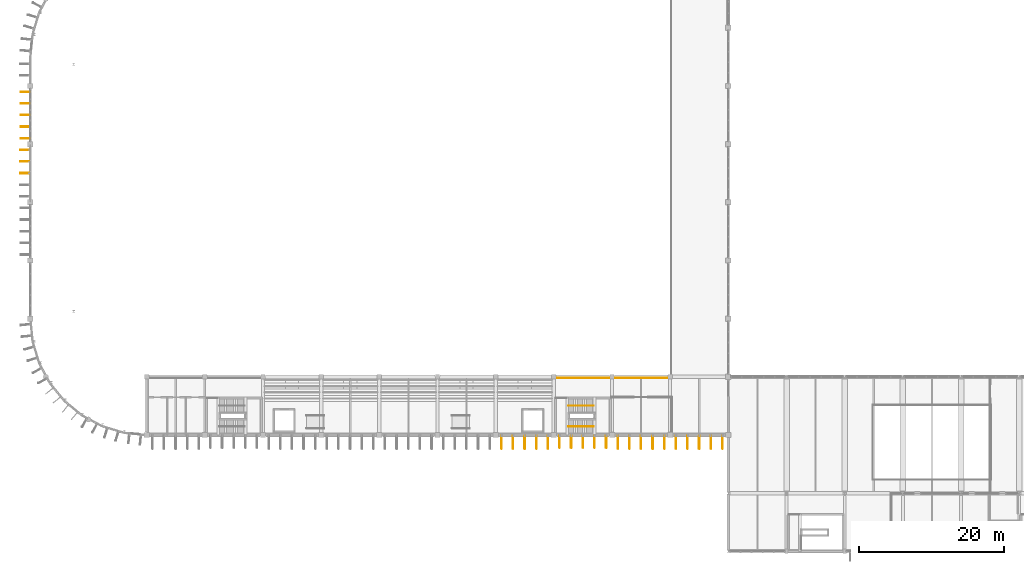
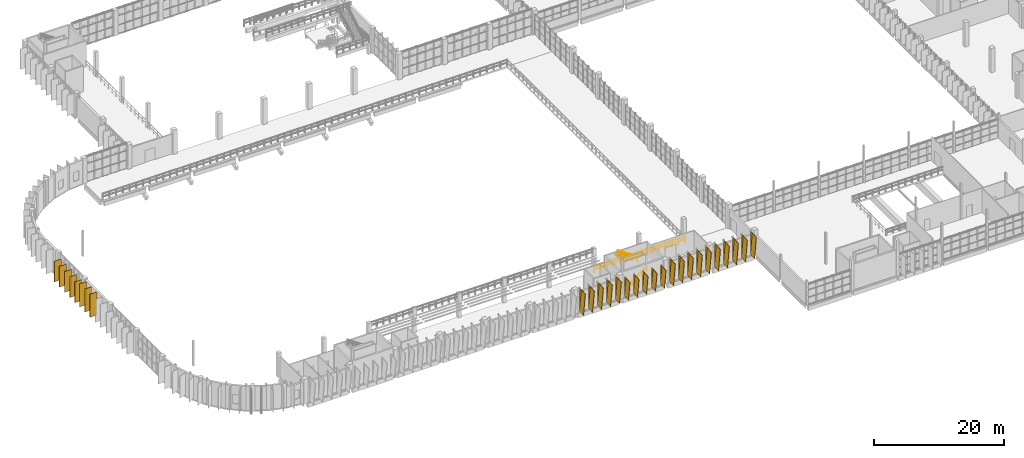
# One storey, part 87 of 93: 28 coverings, 28 shading devices, 3 railings.
"""IFC4 building model written with IfcOpenShell, lengths in metres."""

from ifc_helpers import new_model, si_unit, direction, frame, origin, origin_2d, place, context, subcontext, project, spatial, rectangle, circle, extrude, material, type_object, element, save


model = new_model("IFC4")

# Units and contexts
model_context = context("Model", 3, precision=1e-05, world=origin(), true_north=direction((0.0, 1.0)))
body_context = subcontext(model_context, "Body", "Model", "MODEL_VIEW")
ifc_project = project(units=[si_unit("LENGTHUNIT", "METRE"), si_unit("AREAUNIT", "SQUARE_METRE"), si_unit("VOLUMEUNIT", "CUBIC_METRE"), si_unit("PLANEANGLEUNIT", "RADIAN"), si_unit("MASSUNIT", "GRAM", prefix="KILO")], contexts=[model_context])

# Site, building, storey
site_placement = place(None, origin())
site = spatial("IfcSite", under=ifc_project, at=site_placement, CompositionType="ELEMENT")
building_placement = place(site_placement, origin())
building = spatial("IfcBuilding", under=site, at=building_placement, Name="Drelvana Railside Aquatics Centre", CompositionType="ELEMENT")
storey_placement = place(building_placement, frame((0.0, 0.0, 5.39990234375)))
storey = spatial("IfcBuildingStorey", under=building, at=storey_placement, Name="L01", CompositionType="ELEMENT", Elevation=5.39990234375)

# Coverings
ifc_material_1 = material(Name="Bronze-anodised extruded aluminium 6063-T6", Category="aluminium")
covering_type = type_object("IfcCoveringType", Name="COV-FIN-ALU", PredefinedType="CLADDING", material=ifc_material_1)
for number, where, z_axis, x_axis, name in (
    (1, (64.800048828125, 15.264892578125, 0.0390625), (0.0, -0.13052619222, 0.991444861374), (-1.0, 0.0, 0.0), "Vertical aluminium fin cladding CF-0090"),
    (2, (66.39990234375, 15.264892578125, 0.0390625), (0.0, -0.13052619222, 0.991444861374), (-1.0, 0.0, 0.0), "Vertical aluminium fin cladding CF-0091"),
    (3, (68.0, 15.264892578125, 0.0390625), (0.0, -0.13052619222, 0.991444861374), (-1.0, 0.0, 0.0), "Vertical aluminium fin cladding CF-0092"),
    (4, (69.60009765625, 15.264892578125, 0.0390625), (0.0, -0.13052619222, 0.991444861374), (-1.0, 0.0, 0.0), "Vertical aluminium fin cladding CF-0093"),
    (5, (71.199951171875, 15.264892578125, 0.0390625), (0.0, -0.13052619222, 0.991444861374), (-1.0, 0.0, 0.0), "Vertical aluminium fin cladding CF-0094"),
):
    element("IfcCovering", number, at=place(storey_placement, frame(where, z_axis=z_axis, x_axis=x_axis)), inside=storey, type_object=covering_type, Name=name, PredefinedType="CLADDING", context=body_context, shape_type="SweptSolid", body=[
        extrude(rectangle(XDim=0.0849609375, YDim=1.25, at=origin_2d()), origin(), (0.0, 0.0, 1.0), 4.39990234375),
    ])
for number, where, z_axis, x_axis, name in (
    (6, (72.800048828125, 15.27001953125, 0.11572265625), (0.0, -0.13052619222, 0.991444861374), (-1.0, 0.0, 0.0), "Vertical aluminium fin cladding CF-0105"),
    (7, (74.39990234375, 15.27001953125, 0.11572265625), (0.0, -0.13052619222, 0.991444861374), (-1.0, 0.0, 0.0), "Vertical aluminium fin cladding CF-0106"),
    (8, (76.0, 15.27001953125, 0.11572265625), (0.0, -0.13052619222, 0.991444861374), (-1.0, 0.0, 0.0), "Vertical aluminium fin cladding CF-0107"),
    (9, (77.60009765625, 15.27001953125, 0.11572265625), (0.0, -0.13052619222, 0.991444861374), (-1.0, 0.0, 0.0), "Vertical aluminium fin cladding CF-0108"),
    (10, (79.199951171875, 15.27001953125, 0.11572265625), (0.0, -0.13052619222, 0.991444861374), (-1.0, 0.0, 0.0), "Vertical aluminium fin cladding CF-0109"),
):
    element("IfcCovering", number, at=place(storey_placement, frame(where, z_axis=z_axis, x_axis=x_axis)), inside=storey, type_object=covering_type, Name=name, PredefinedType="CLADDING", context=body_context, shape_type="SweptSolid", body=[
        extrude(rectangle(XDim=0.0849609375, YDim=1.25, at=origin_2d()), origin(), (0.0, 0.0, 1.0), 3.6298828125),
    ])
for number, where, z_axis, x_axis, name in (
    (11, (80.800048828125, 15.264892578125, 0.0390625), (0.0, -0.13052619222, 0.991444861374), (-1.0, 0.0, 0.0), "Vertical aluminium fin cladding CF-0119"),
    (12, (82.39990234375, 15.264892578125, 0.0390625), (0.0, -0.13052619222, 0.991444861374), (-1.0, 0.0, 0.0), "Vertical aluminium fin cladding CF-0120"),
    (13, (84.0, 15.264892578125, 0.0390625), (0.0, -0.13052619222, 0.991444861374), (-1.0, 0.0, 0.0), "Vertical aluminium fin cladding CF-0121"),
    (14, (85.60009765625, 15.264892578125, 0.0390625), (0.0, -0.13052619222, 0.991444861374), (-1.0, 0.0, 0.0), "Vertical aluminium fin cladding CF-0122"),
    (15, (87.199951171875, 15.264892578125, 0.0390625), (0.0, -0.13052619222, 0.991444861374), (-1.0, 0.0, 0.0), "Vertical aluminium fin cladding CF-0123"),
    (16, (88.800048828125, 15.264892578125, 0.0390625), (0.0, -0.13052619222, 0.991444861374), (-1.0, 0.0, 0.0), "Vertical aluminium fin cladding CF-0135"),
    (17, (90.39990234375, 15.264892578125, 0.0390625), (0.0, -0.13052619222, 0.991444861374), (-1.0, 0.0, 0.0), "Vertical aluminium fin cladding CF-0136"),
    (18, (92.0, 15.264892578125, 0.0390625), (0.0, -0.13052619222, 0.991444861374), (-1.0, 0.0, 0.0), "Vertical aluminium fin cladding CF-0137"),
    (19, (93.60009765625, 15.264892578125, 0.0390625), (0.0, -0.13052619222, 0.991444861374), (-1.0, 0.0, 0.0), "Vertical aluminium fin cladding CF-0138"),
    (20, (95.199951171875, 15.264892578125, 0.0390625), (0.0, -0.13052619222, 0.991444861374), (-1.0, 0.0, 0.0), "Vertical aluminium fin cladding CF-0139"),
):
    element("IfcCovering", number, at=place(storey_placement, frame(where, z_axis=z_axis, x_axis=x_axis)), inside=storey, type_object=covering_type, Name=name, PredefinedType="CLADDING", context=body_context, shape_type="SweptSolid", body=[
        extrude(rectangle(XDim=0.0849609375, YDim=1.25, at=origin_2d()), origin(), (0.0, 0.0, 1.0), 4.39990234375),
    ])
for number, where, z_axis, x_axis, name in (
    (21, (-0.77490234375, 52.0, 0.199951171875), (0.0, 0.0, 1.0), (0.0, 1.0, 0.0), "Vertical aluminium fin cladding CF-0232"),
    (22, (-0.77490234375, 53.60009765625, 0.199951171875), (0.0, 0.0, 1.0), (0.0, 1.0, 0.0), "Vertical aluminium fin cladding CF-0233"),
    (23, (-0.77490234375, 55.199951171875, 0.199951171875), (0.0, 0.0, 1.0), (0.0, 1.0, 0.0), "Vertical aluminium fin cladding CF-0234"),
):
    element("IfcCovering", number, at=place(storey_placement, frame(where, z_axis=z_axis, x_axis=x_axis)), inside=storey, type_object=covering_type, Name=name, PredefinedType="CLADDING", context=body_context, shape_type="SweptSolid", body=[
        extrude(rectangle(XDim=0.0849609375, YDim=1.25, at=origin_2d()), origin(), (0.0, 0.0, 1.0), 4.35009765625),
    ])
for number, where, z_axis, x_axis, name in (
    (24, (-0.669921875, 56.800048828125, 0.000244140625), (0.0, 0.0, 1.0), (0.0, 1.0, 0.0), "Vertical aluminium fin cladding CF-0250"),
    (25, (-0.669921875, 58.39990234375, 0.000244140625), (0.0, 0.0, 1.0), (0.0, 1.0, 0.0), "Vertical aluminium fin cladding CF-0251"),
    (26, (-0.669921875, 60.0, 0.000244140625), (0.0, 0.0, 1.0), (0.0, 1.0, 0.0), "Vertical aluminium fin cladding CF-0252"),
    (27, (-0.669921875, 61.60009765625, 0.000244140625), (0.0, 0.0, 1.0), (0.0, 1.0, 0.0), "Vertical aluminium fin cladding CF-0253"),
    (28, (-0.669921875, 63.199951171875, 0.000244140625), (0.0, 0.0, 1.0), (0.0, 1.0, 0.0), "Vertical aluminium fin cladding CF-0254"),
):
    element("IfcCovering", number, at=place(storey_placement, frame(where, z_axis=z_axis, x_axis=x_axis)), inside=storey, type_object=covering_type, Name=name, PredefinedType="CLADDING", context=body_context, shape_type="SweptSolid", body=[
        extrude(rectangle(XDim=0.0849609375, YDim=1.25, at=origin_2d()), origin(), (0.0, 0.0, 1.0), 3.89990234375),
    ])

# Railings
ifc_material_2 = material(Name="Laminated glass and bronze-stainless gallery balustrade", Category="glass")
railing_type_1 = type_object("IfcRailingType", Name="RAL-GALLERY-1150", PredefinedType="BALUSTRADE", material=ifc_material_2)
railing_1_placement = place(storey_placement, frame((72.0, 23.85009765625, 0.0)))
element("IfcRailing", 29, at=railing_1_placement, inside=storey, type_object=railing_type_1, Name="Gallery balustrade 5 (L01)", PredefinedType="BALUSTRADE", context=body_context, shape_type="SweptSolid", body=[
    extrude(circle(Radius=0.02392578125, at=origin_2d()), frame((0.0, 0.0, 1.1259765625), z_axis=(1.0, 0.0, 0.0), x_axis=(0.0, 1.0, 0.0)), (0.0, 0.0, 1.0), 16.10009765625),
    extrude(circle(Radius=0.02392578125, at=origin_2d()), frame((0.0, 0.0, 0.574951171875), z_axis=(1.0, 0.0, 0.0), x_axis=(0.0, 1.0, 0.0)), (0.0, 0.0, 1.0), 16.10009765625),
    extrude(circle(Radius=0.02099609375, at=origin_2d()), origin(), (0.0, 0.0, 1.0), 1.101806640625),
    extrude(circle(Radius=0.02099609375, at=origin_2d()), frame((1.14990234375, 0.0, 0.0)), (0.0, 0.0, 1.0), 1.101806640625),
    extrude(circle(Radius=0.02099609375, at=origin_2d()), frame((2.300048828125, 0.0, 0.0)), (0.0, 0.0, 1.0), 1.101806640625),
    extrude(circle(Radius=0.02099609375, at=origin_2d()), frame((3.449951171875, 0.0, 0.0)), (0.0, 0.0, 1.0), 1.101806640625),
    extrude(circle(Radius=0.02099609375, at=origin_2d()), frame((4.60009765625, 0.0, 0.0)), (0.0, 0.0, 1.0), 1.101806640625),
    extrude(circle(Radius=0.02099609375, at=origin_2d()), frame((5.75, 0.0, 0.0)), (0.0, 0.0, 1.0), 1.101806640625),
    extrude(circle(Radius=0.02099609375, at=origin_2d()), frame((6.900146484375, 0.0, 0.0)), (0.0, 0.0, 1.0), 1.101806640625),
    extrude(circle(Radius=0.02099609375, at=origin_2d()), frame((8.050048828125, 0.0, 0.0)), (0.0, 0.0, 1.0), 1.101806640625),
    extrude(circle(Radius=0.02099609375, at=origin_2d()), frame((9.199951171875, 0.0, 0.0)), (0.0, 0.0, 1.0), 1.101806640625),
    extrude(circle(Radius=0.02099609375, at=origin_2d()), frame((10.35009765625, 0.0, 0.0)), (0.0, 0.0, 1.0), 1.101806640625),
    extrude(circle(Radius=0.02099609375, at=origin_2d()), frame((11.5, 0.0, 0.0)), (0.0, 0.0, 1.0), 1.101806640625),
    extrude(circle(Radius=0.02099609375, at=origin_2d()), frame((12.650146484375, 0.0, 0.0)), (0.0, 0.0, 1.0), 1.101806640625),
    extrude(circle(Radius=0.02099609375, at=origin_2d()), frame((13.800048828125, 0.0, 0.0)), (0.0, 0.0, 1.0), 1.101806640625),
    extrude(circle(Radius=0.02099609375, at=origin_2d()), frame((14.9501953125, 0.0, 0.0)), (0.0, 0.0, 1.0), 1.101806640625),
    extrude(circle(Radius=0.02099609375, at=origin_2d()), frame((16.10009765625, 0.0, 0.0)), (0.0, 0.0, 1.0), 1.101806640625),
])
ifc_material_3 = material(Name="Brushed stainless steel stair pitch handrail", Category="steel")
railing_type_2 = type_object("IfcRailingType", Name="RAL-HANDRAIL-950", PredefinedType="HANDRAIL", material=ifc_material_3)
railing_2_placement = place(storey_placement, frame((73.969970703125, 17.175048828125, 0.0)))
element("IfcRailing", 30, at=railing_2_placement, inside=storey, type_object=railing_type_2, Name="Stair ST-02 flight 1 handrail (L01)", PredefinedType="HANDRAIL", context=body_context, shape_type="SweptSolid", body=[
    extrude(circle(Radius=0.02392578125, at=origin_2d()), frame((0.0, 0.0, 0.92578125), z_axis=(0.824712752785, 0.0, 0.565551832633), x_axis=(0.0, 1.0, 0.0)), (0.0, 0.0, 1.0), 4.243896484375),
    extrude(circle(Radius=0.02392578125, at=origin_2d()), frame((0.0, 0.0, 0.47509765625), z_axis=(0.824712752785, 0.0, 0.565551832633), x_axis=(0.0, 1.0, 0.0)), (0.0, 0.0, 1.0), 4.243896484375),
    extrude(circle(Radius=0.02099609375, at=origin_2d()), origin(), (0.0, 0.0, 1.0), 0.90185546875),
    extrude(circle(Radius=0.02099609375, at=origin_2d()), frame((0.875, 0.0, 0.60009765625)), (0.0, 0.0, 1.0), 0.90185546875),
    extrude(circle(Radius=0.02099609375, at=origin_2d()), frame((1.75, 0.0, 1.2001953125)), (0.0, 0.0, 1.0), 0.90185546875),
    extrude(circle(Radius=0.02099609375, at=origin_2d()), frame((2.625, 0.0, 1.800048828125)), (0.0, 0.0, 1.0), 0.90185546875),
    extrude(circle(Radius=0.02099609375, at=origin_2d()), frame((3.5, 0.0, 2.400146484375)), (0.0, 0.0, 1.0), 0.90185546875),
])
railing_3_placement = place(storey_placement, frame((77.469970703125, 20.02490234375, 2.400146484375)))
element("IfcRailing", 31, at=railing_3_placement, inside=storey, type_object=railing_type_2, Name="Stair ST-02 flight 2 handrail (L01)", PredefinedType="HANDRAIL", context=body_context, shape_type="SweptSolid", body=[
    extrude(circle(Radius=0.02392578125, at=origin_2d()), frame((0.0, 0.0, 0.92578125), z_axis=(-0.824739584531, 0.0, 0.5655127034), x_axis=(0.0, -1.0, 0.0)), (0.0, 0.0, 1.0), 4.24365234375),
    extrude(circle(Radius=0.02392578125, at=origin_2d()), frame((0.0, 0.0, 0.47509765625), z_axis=(-0.824739584531, 0.0, 0.5655127034), x_axis=(0.0, -1.0, 0.0)), (0.0, 0.0, 1.0), 4.24365234375),
    extrude(circle(Radius=0.02099609375, at=origin_2d()), origin(), (0.0, 0.0, 1.0), 0.90185546875),
    extrude(circle(Radius=0.02099609375, at=origin_2d()), frame((-0.875, 0.0, 0.60009765625)), (0.0, 0.0, 1.0), 0.90185546875),
    extrude(circle(Radius=0.02099609375, at=origin_2d()), frame((-1.75, 0.0, 1.199951171875)), (0.0, 0.0, 1.0), 0.90185546875),
    extrude(circle(Radius=0.02099609375, at=origin_2d()), frame((-2.625, 0.0, 1.7998046875)), (0.0, 0.0, 1.0), 0.90185546875),
    extrude(circle(Radius=0.02099609375, at=origin_2d()), frame((-3.5, 0.0, 2.39990234375)), (0.0, 0.0, 1.0), 0.90185546875),
])

# Shading devices
shading_device_type = type_object("IfcShadingDeviceType", Name="SHD-FIN-1250", PredefinedType="USERDEFINED", material=ifc_material_1)
for number, where, z_axis, x_axis, name in (
    (32, (64.800048828125, 15.2451171875, 0.020263671875), (0.0, 0.0, 1.0), (0.0, -1.0, 0.0), "Vertical bronze shading fin FN-0090"),
    (33, (66.39990234375, 15.2451171875, 0.020263671875), (0.0, 0.0, 1.0), (0.0, -1.0, 0.0), "Vertical bronze shading fin FN-0091"),
    (34, (68.0, 15.2451171875, 0.020263671875), (0.0, 0.0, 1.0), (0.0, -1.0, 0.0), "Vertical bronze shading fin FN-0092"),
    (35, (69.60009765625, 15.2451171875, 0.020263671875), (0.0, 0.0, 1.0), (0.0, -1.0, 0.0), "Vertical bronze shading fin FN-0093"),
    (36, (71.199951171875, 15.2451171875, 0.020263671875), (0.0, 0.0, 1.0), (0.0, -1.0, 0.0), "Vertical bronze shading fin FN-0094"),
):
    element("IfcShadingDevice", number, at=place(storey_placement, frame(where, z_axis=z_axis, x_axis=x_axis)), inside=storey, type_object=shading_device_type, Name=name, ObjectType="FIN", PredefinedType="USERDEFINED", context=body_context, shape_type="SweptSolid", body=[
        extrude(rectangle(XDim=1.25, YDim=0.06494140625, at=origin_2d()), origin(), (0.0, 0.0, 1.0), 4.39990234375),
    ])
for number, where, z_axis, x_axis, name in (
    (37, (72.800048828125, 15.25, 0.10009765625), (0.0, 0.0, 1.0), (0.0, -1.0, 0.0), "Vertical bronze shading fin FN-0105"),
    (38, (74.39990234375, 15.25, 0.10009765625), (0.0, 0.0, 1.0), (0.0, -1.0, 0.0), "Vertical bronze shading fin FN-0106"),
    (39, (76.0, 15.25, 0.10009765625), (0.0, 0.0, 1.0), (0.0, -1.0, 0.0), "Vertical bronze shading fin FN-0107"),
    (40, (77.60009765625, 15.25, 0.10009765625), (0.0, 0.0, 1.0), (0.0, -1.0, 0.0), "Vertical bronze shading fin FN-0108"),
    (41, (79.199951171875, 15.25, 0.10009765625), (0.0, 0.0, 1.0), (0.0, -1.0, 0.0), "Vertical bronze shading fin FN-0109"),
):
    element("IfcShadingDevice", number, at=place(storey_placement, frame(where, z_axis=z_axis, x_axis=x_axis)), inside=storey, type_object=shading_device_type, Name=name, ObjectType="FIN", PredefinedType="USERDEFINED", context=body_context, shape_type="SweptSolid", body=[
        extrude(rectangle(XDim=1.25, YDim=0.06494140625, at=origin_2d()), origin(), (0.0, 0.0, 1.0), 3.6298828125),
    ])
for number, where, z_axis, x_axis, name in (
    (42, (80.800048828125, 15.2451171875, 0.020263671875), (0.0, 0.0, 1.0), (0.0, -1.0, 0.0), "Vertical bronze shading fin FN-0119"),
    (43, (82.39990234375, 15.2451171875, 0.020263671875), (0.0, 0.0, 1.0), (0.0, -1.0, 0.0), "Vertical bronze shading fin FN-0120"),
    (44, (84.0, 15.2451171875, 0.020263671875), (0.0, 0.0, 1.0), (0.0, -1.0, 0.0), "Vertical bronze shading fin FN-0121"),
    (45, (85.60009765625, 15.2451171875, 0.020263671875), (0.0, 0.0, 1.0), (0.0, -1.0, 0.0), "Vertical bronze shading fin FN-0122"),
    (46, (87.199951171875, 15.2451171875, 0.020263671875), (0.0, 0.0, 1.0), (0.0, -1.0, 0.0), "Vertical bronze shading fin FN-0123"),
    (47, (88.800048828125, 15.2451171875, 0.020263671875), (0.0, 0.0, 1.0), (0.0, -1.0, 0.0), "Vertical bronze shading fin FN-0135"),
    (48, (90.39990234375, 15.2451171875, 0.020263671875), (0.0, 0.0, 1.0), (0.0, -1.0, 0.0), "Vertical bronze shading fin FN-0136"),
    (49, (92.0, 15.2451171875, 0.020263671875), (0.0, 0.0, 1.0), (0.0, -1.0, 0.0), "Vertical bronze shading fin FN-0137"),
    (50, (93.60009765625, 15.2451171875, 0.020263671875), (0.0, 0.0, 1.0), (0.0, -1.0, 0.0), "Vertical bronze shading fin FN-0138"),
    (51, (95.199951171875, 15.2451171875, 0.020263671875), (0.0, 0.0, 1.0), (0.0, -1.0, 0.0), "Vertical bronze shading fin FN-0139"),
):
    element("IfcShadingDevice", number, at=place(storey_placement, frame(where, z_axis=z_axis, x_axis=x_axis)), inside=storey, type_object=shading_device_type, Name=name, ObjectType="FIN", PredefinedType="USERDEFINED", context=body_context, shape_type="SweptSolid", body=[
        extrude(rectangle(XDim=1.25, YDim=0.06494140625, at=origin_2d()), origin(), (0.0, 0.0, 1.0), 4.39990234375),
    ])
for number, where, z_axis, x_axis, name in (
    (52, (-0.794921875, 52.0, 0.199951171875), (0.0, 0.0, 1.0), (-1.0, 0.0, 0.0), "Vertical bronze shading fin FN-0239"),
    (53, (-0.794921875, 53.60009765625, 0.199951171875), (0.0, 0.0, 1.0), (-1.0, 0.0, 0.0), "Vertical bronze shading fin FN-0240"),
    (54, (-0.794921875, 55.199951171875, 0.199951171875), (0.0, 0.0, 1.0), (-1.0, 0.0, 0.0), "Vertical bronze shading fin FN-0241"),
):
    element("IfcShadingDevice", number, at=place(storey_placement, frame(where, z_axis=z_axis, x_axis=x_axis)), inside=storey, type_object=shading_device_type, Name=name, ObjectType="FIN", PredefinedType="USERDEFINED", context=body_context, shape_type="SweptSolid", body=[
        extrude(rectangle(XDim=1.25, YDim=0.06494140625, at=origin_2d()), origin(), (0.0, 0.0, 1.0), 4.35009765625),
    ])
for number, where, z_axis, x_axis, name in (
    (55, (-0.68994140625, 56.800048828125, 0.000244140625), (0.0, 0.0, 1.0), (-1.0, 0.0, 0.0), "Vertical bronze shading fin FN-0257"),
    (56, (-0.68994140625, 58.39990234375, 0.000244140625), (0.0, 0.0, 1.0), (-1.0, 0.0, 0.0), "Vertical bronze shading fin FN-0258"),
    (57, (-0.68994140625, 60.0, 0.000244140625), (0.0, 0.0, 1.0), (-1.0, 0.0, 0.0), "Vertical bronze shading fin FN-0259"),
    (58, (-0.68994140625, 61.60009765625, 0.000244140625), (0.0, 0.0, 1.0), (-1.0, 0.0, 0.0), "Vertical bronze shading fin FN-0260"),
    (59, (-0.68994140625, 63.199951171875, 0.000244140625), (0.0, 0.0, 1.0), (-1.0, 0.0, 0.0), "Vertical bronze shading fin FN-0261"),
):
    element("IfcShadingDevice", number, at=place(storey_placement, frame(where, z_axis=z_axis, x_axis=x_axis)), inside=storey, type_object=shading_device_type, Name=name, ObjectType="FIN", PredefinedType="USERDEFINED", context=body_context, shape_type="SweptSolid", body=[
        extrude(rectangle(XDim=1.25, YDim=0.06494140625, at=origin_2d()), origin(), (0.0, 0.0, 1.0), 3.89990234375),
    ])

save(model, "model.ifc")
